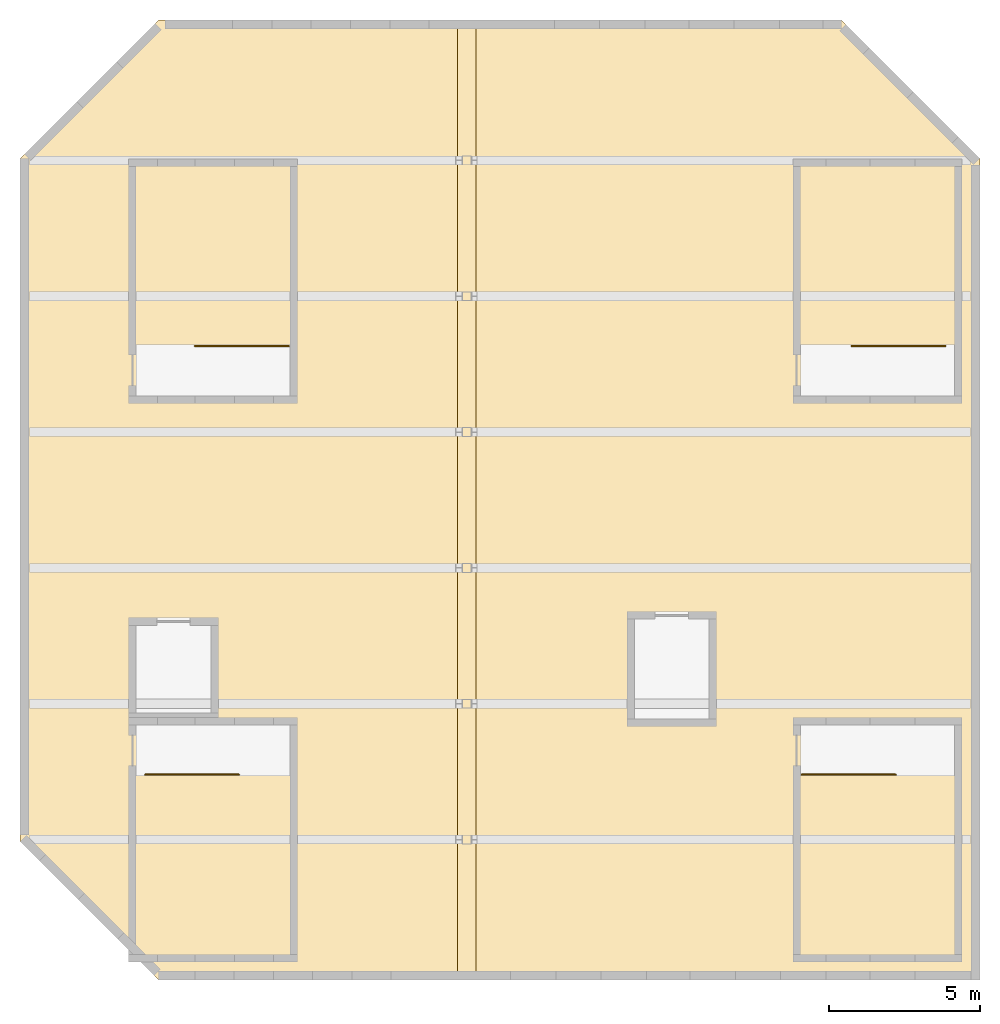
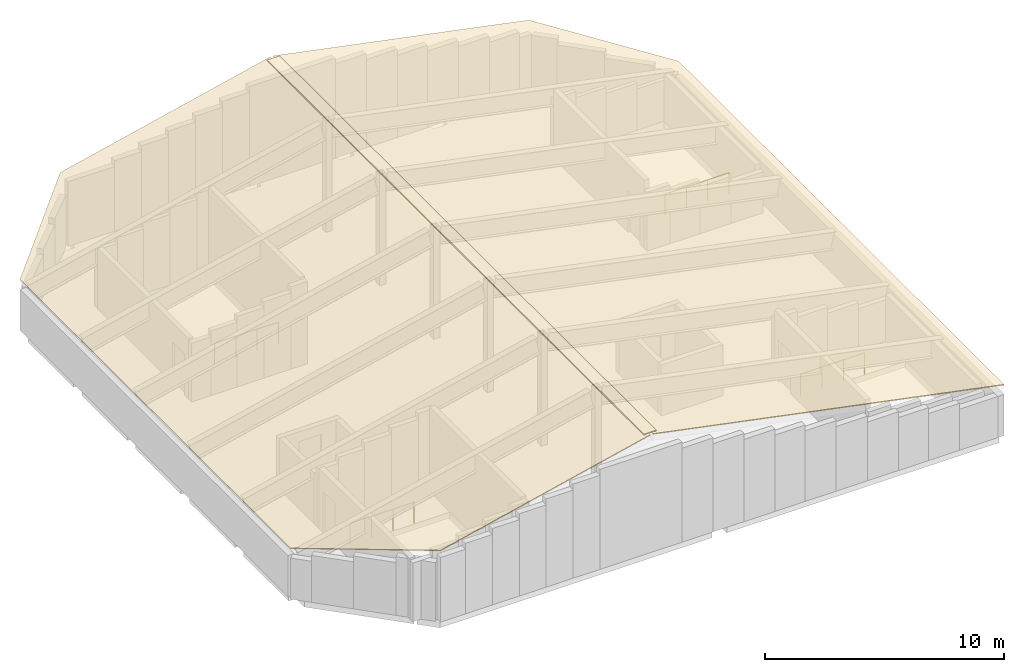
# One storey, part 4 of 4: 4 railings, 3 coverings.
"""IFC4 building model written with IfcOpenShell, lengths in metres."""

from ifc_helpers import new_model, si_unit, direction, frame, origin, origin_2d, place, context, subcontext, project, spatial, polyline, rectangle, circle, outline, extrude, material, layer, layer_set, type_object, element, save


model = new_model("IFC4")

# Units and contexts
model_context = context("Model", 3, precision=1e-05, world=origin(), true_north=direction((0.0, 1.0)))
body_context = subcontext(model_context, "Body", "Model", "MODEL_VIEW")
ifc_project = project(units=[si_unit("LENGTHUNIT", "METRE"), si_unit("AREAUNIT", "SQUARE_METRE"), si_unit("VOLUMEUNIT", "CUBIC_METRE"), si_unit("PLANEANGLEUNIT", "RADIAN"), si_unit("MASSUNIT", "GRAM", prefix="KILO")], contexts=[model_context])

# Site, building, storey
site_placement = place(None, origin())
site = spatial("IfcSite", under=ifc_project, at=site_placement, CompositionType="ELEMENT")
building_placement = place(site_placement, origin())
building = spatial("IfcBuilding", under=site, at=building_placement, Name="Corbel Stack Research Tower", CompositionType="ELEMENT")
storey_placement = place(building_placement, frame((0.0, 0.0, 329.800048828125)))
storey = spatial("IfcBuildingStorey", under=building, at=storey_placement, Name="RF", CompositionType="ELEMENT", Elevation=329.800048828125)

# Coverings
ifc_material_1 = material(Name="Zinc standing seam roofing")
ifc_layer_1 = layer(ifc_material_1, 0.06005859375)
ifc_layer_set_1 = layer_set([ifc_layer_1], Name="Zinc standing seam roofing")
covering_type_1 = type_object("IfcCoveringType", Name="Ridge capping 600 x 60", PredefinedType="MOLDING", material=ifc_layer_set_1)
covering_1_placement = place(storey_placement, frame((1.14990234375, 6.75, 5.97998046875), z_axis=(0.0, 0.0, 1.0), x_axis=(1.0, 0.0, 0.0)))
element("IfcCovering", 1, at=covering_1_placement, inside=storey, type_object=covering_type_1, Name="Ridge capping", PredefinedType="MOLDING", context=body_context, shape_type="SweptSolid", body=[
    extrude(rectangle(XDim=0.60009765625, YDim=31.5, at=origin_2d()), origin(), (0.0, 0.0, 1.0), 0.06005859375),
])
ifc_material_2 = material(Name="Zinc standing seam roofing")
ifc_layer_2 = layer(ifc_material_2, 0.0400390625)
ifc_layer_set_2 = layer_set([ifc_layer_2], Name="Zinc standing seam roofing")
covering_type_2 = type_object("IfcCoveringType", Name="Roofing membrane and standing seam cladding 40", PredefinedType="ROOFING", material=ifc_layer_set_2)
covering_2_placement = place(storey_placement, frame((-9.06201171875, -9.14990234375, 3.6708984375), z_axis=(-0.226075400282, 0.0, 0.974109805611), x_axis=(0.974109805611, 0.0, 0.226075400282)))
element("IfcCovering", 2, at=covering_2_placement, inside=storey, type_object=covering_type_2, Name="Roofing west plane", PredefinedType="ROOFING", context=body_context, shape_type="SweptSolid", body=[
    extrude(outline(polyline([(0.0, 0.0), (10.401388988812204, 0.0), (10.401388988812204, 31.7998046875), (0.0, 31.7998046875), (-4.7098111053882095, 27.2119140625), (-4.7098111053882095, 4.587890625), (0.0, 0.0)])), origin(), (0.0, 0.0, -1.0), 0.0400390625),
])
covering_3_placement = place(storey_placement, frame((1.22998046875, 22.64990234375, 6.024658203125), z_axis=(0.197805051075, 2.96385e-07, 0.980241379339), x_axis=(5.8626e-08, -1.0, 2.90528e-07)))
element("IfcCovering", 3, at=covering_3_placement, inside=storey, type_object=covering_type_2, Name="Roofing east plane", PredefinedType="ROOFING", context=body_context, shape_type="SweptSolid", body=[
    extrude(outline(polyline([(0.0, 0.0), (31.799804687498604, -2.1043345536378313e-22), (31.79980468749901, 17.260974656499492), (4.587890625000202, 17.260974656499492), (-5.183812406936341e-12, 12.580610214550644), (0.0, 0.0)])), origin(), (0.0, 0.0, -1.0), 0.0400390625),
])

# Railings
ifc_material_3 = material(Name="Steel S355", Category="steel")
railing_type = type_object("IfcRailingType", Name="Stair guard 1100", PredefinedType="GUARDRAIL", material=ifc_material_3)
railing_1_placement = place(storey_placement, frame((-9.5, -2.35009765625, 0.0)))
element("IfcRailing", 4, at=railing_1_placement, inside=storey, type_object=railing_type, Name="RF ST-W1 top well guard 1", PredefinedType="GUARDRAIL", context=body_context, shape_type="SweptSolid", body=[
    extrude(circle(Radius=0.02392578125, at=origin_2d()), frame((0.0, 0.0, 1.076171875), z_axis=(1.0, 0.0, 0.0), x_axis=(0.0, 1.0, 0.0)), (0.0, 0.0, 1.0), 3.10009765625),
    extrude(circle(Radius=0.02099609375, at=origin_2d()), origin(), (0.0, 0.0, 1.0), 1.052001953125),
    extrude(circle(Radius=0.02099609375, at=origin_2d()), frame((1.033447265625, 0.0, 0.0)), (0.0, 0.0, 1.0), 1.052001953125),
    extrude(circle(Radius=0.02099609375, at=origin_2d()), frame((2.066650390625, 0.0, 0.0)), (0.0, 0.0, 1.0), 1.052001953125),
    extrude(circle(Radius=0.02099609375, at=origin_2d()), frame((3.10009765625, 0.0, 0.0)), (0.0, 0.0, 1.0), 1.052001953125),
])
railing_2_placement = place(storey_placement, frame((-4.75, 11.85009765625, 0.0)))
element("IfcRailing", 5, at=railing_2_placement, inside=storey, type_object=railing_type, Name="RF ST-W2 top well guard 1", PredefinedType="GUARDRAIL", context=body_context, shape_type="SweptSolid", body=[
    extrude(circle(Radius=0.02392578125, at=origin_2d()), frame((0.0, 0.0, 1.076171875), z_axis=(-1.0, 0.0, 0.0), x_axis=(0.0, -1.0, 0.0)), (0.0, 0.0, 1.0), 3.10009765625),
    extrude(circle(Radius=0.02099609375, at=origin_2d()), origin(), (0.0, 0.0, 1.0), 1.052001953125),
    extrude(circle(Radius=0.02099609375, at=origin_2d()), frame((-1.033447265625, 0.0, 0.0)), (0.0, 0.0, 1.0), 1.052001953125),
    extrude(circle(Radius=0.02099609375, at=origin_2d()), frame((-2.066650390625, 0.0, 0.0)), (0.0, 0.0, 1.0), 1.052001953125),
    extrude(circle(Radius=0.02099609375, at=origin_2d()), frame((-3.10009765625, 0.0, 0.0)), (0.0, 0.0, 1.0), 1.052001953125),
])
railing_3_placement = place(storey_placement, frame((12.25, -2.35009765625, 0.0)))
element("IfcRailing", 6, at=railing_3_placement, inside=storey, type_object=railing_type, Name="RF ST-E1 top well guard 1", PredefinedType="GUARDRAIL", context=body_context, shape_type="SweptSolid", body=[
    extrude(circle(Radius=0.02392578125, at=origin_2d()), frame((0.0, 0.0, 1.076171875), z_axis=(1.0, 0.0, 0.0), x_axis=(0.0, 1.0, 0.0)), (0.0, 0.0, 1.0), 3.10009765625),
    extrude(circle(Radius=0.02099609375, at=origin_2d()), origin(), (0.0, 0.0, 1.0), 1.052001953125),
    extrude(circle(Radius=0.02099609375, at=origin_2d()), frame((1.033447265625, 0.0, 0.0)), (0.0, 0.0, 1.0), 1.052001953125),
    extrude(circle(Radius=0.02099609375, at=origin_2d()), frame((2.066650390625, 0.0, 0.0)), (0.0, 0.0, 1.0), 1.052001953125),
    extrude(circle(Radius=0.02099609375, at=origin_2d()), frame((3.10009765625, 0.0, 0.0)), (0.0, 0.0, 1.0), 1.052001953125),
])
railing_4_placement = place(storey_placement, frame((17.0, 11.85009765625, 0.0)))
element("IfcRailing", 7, at=railing_4_placement, inside=storey, type_object=railing_type, Name="RF ST-E2 top well guard 1", PredefinedType="GUARDRAIL", context=body_context, shape_type="SweptSolid", body=[
    extrude(circle(Radius=0.02392578125, at=origin_2d()), frame((0.0, 0.0, 1.076171875), z_axis=(-1.0, 0.0, 0.0), x_axis=(0.0, -1.0, 0.0)), (0.0, 0.0, 1.0), 3.10009765625),
    extrude(circle(Radius=0.02099609375, at=origin_2d()), origin(), (0.0, 0.0, 1.0), 1.052001953125),
    extrude(circle(Radius=0.02099609375, at=origin_2d()), frame((-1.033447265625, 0.0, 0.0)), (0.0, 0.0, 1.0), 1.052001953125),
    extrude(circle(Radius=0.02099609375, at=origin_2d()), frame((-2.066650390625, 0.0, 0.0)), (0.0, 0.0, 1.0), 1.052001953125),
    extrude(circle(Radius=0.02099609375, at=origin_2d()), frame((-3.10009765625, 0.0, 0.0)), (0.0, 0.0, 1.0), 1.052001953125),
])

save(model, "model.ifc")
